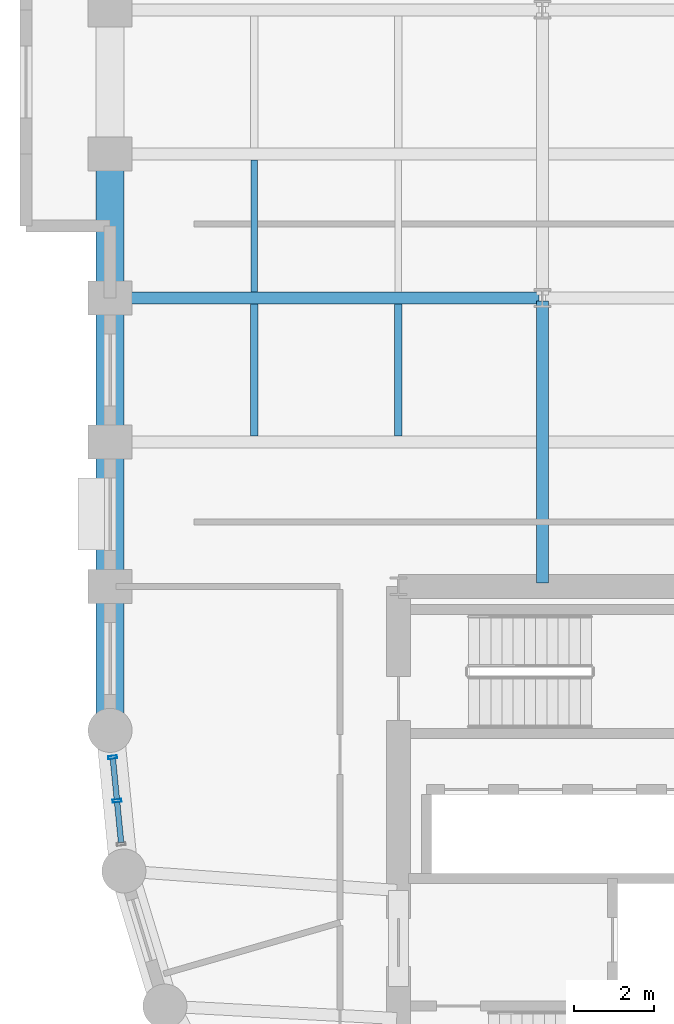
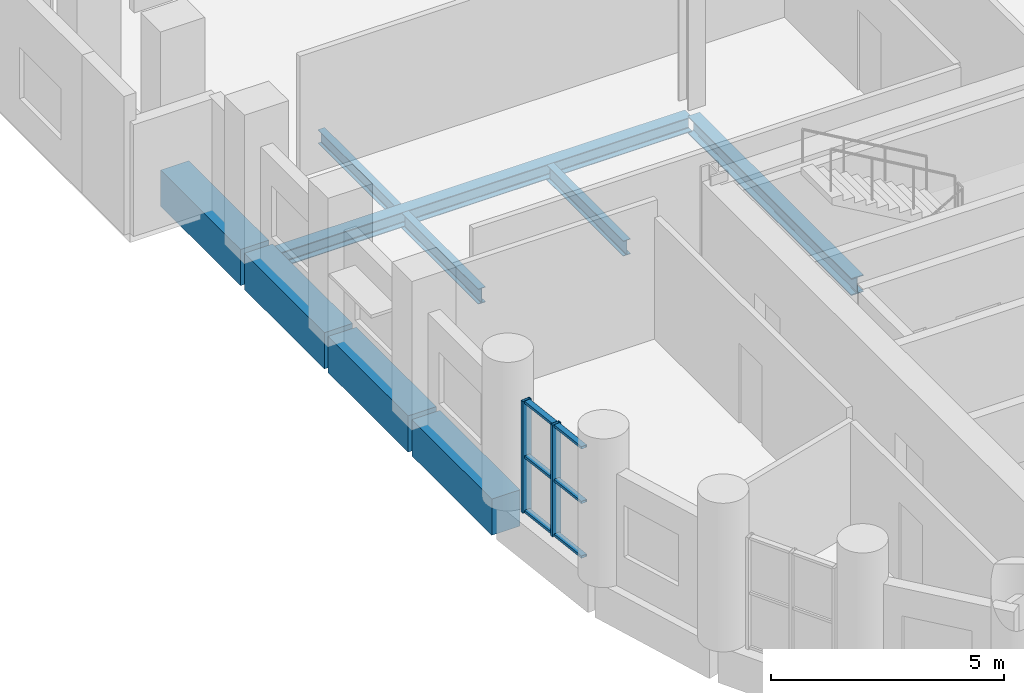
# One storey, part 5 of 13: 9 beams, 8 members, 1 element without a shape of its own.
"""IFC4 building model written with IfcOpenShell, lengths in metres."""

from ifc_helpers import new_model, si_unit, direction, frame, origin, origin_2d, place, context, subcontext, project, spatial, rectangle, hollow_rectangle, i_section, extrude, material, layer, layer_set, material_profile, profile_set, type_object, element, aggregate, save


model = new_model("IFC4")

# Units and contexts
model_context = context("Model", 3, precision=1e-05, world=origin(), true_north=direction((0.0, 1.0)))
body_context = subcontext(model_context, "Body", "Model", "MODEL_VIEW")
ifc_project = project(units=[si_unit("LENGTHUNIT", "METRE"), si_unit("AREAUNIT", "SQUARE_METRE"), si_unit("VOLUMEUNIT", "CUBIC_METRE"), si_unit("PLANEANGLEUNIT", "RADIAN"), si_unit("MASSUNIT", "GRAM", prefix="KILO")], contexts=[model_context])

# Site, building, storey
site_placement = place(None, origin())
site = spatial("IfcSite", under=ifc_project, at=site_placement, CompositionType="ELEMENT")
building_placement = place(site_placement, origin())
building = spatial("IfcBuilding", under=site, at=building_placement, Name="Solnavia Interchange Tower", CompositionType="ELEMENT")
storey_placement = place(building_placement, frame((0.0, 0.0, 87.89990234375)))
storey = spatial("IfcBuildingStorey", under=building, at=storey_placement, Name="L21", CompositionType="ELEMENT", Elevation=87.89990234375)

# Beams
ifc_material_1 = material(Name="Steel S460", Category="steel")
ifc_material_profile_1 = material_profile(ifc_material_1, i_section(OverallWidth=0.300048828125, OverallDepth=0.449951171875, WebThickness=0.013916015625, FlangeThickness=0.02587890625, FilletRadius=0.027099609375, at=origin_2d()), Name="HEB 450")
ifc_profile_set_1 = profile_set([ifc_material_profile_1], Name="Steel S460")
beam_type_1 = type_object("IfcBeamType", Name="Beam-Girder-HEB450", PredefinedType="BEAM", material=ifc_profile_set_1)
beam_1_placement = place(storey_placement, frame((18.0, 25.280029296875, -0.474853515625), z_axis=(0.0, 1.0, 0.0), x_axis=(-1.0, 0.0, 0.0)))
element("IfcBeam", 1, at=beam_1_placement, inside=storey, type_object=beam_type_1, Name="GRD-L21-NS11 North wing spine girder", PredefinedType="BEAM", context=body_context, shape_type="SweptSolid", body=[
    extrude(i_section(OverallWidth=0.300048828125, OverallDepth=0.449951171875, WebThickness=0.013916015625, FlangeThickness=0.02587890625, FilletRadius=0.027099609375, at=origin_2d()), origin(), (0.0, 0.0, 1.0), 7.0400390625),
])
ifc_material_2 = material(Name="Steel S355", Category="steel")
ifc_material_profile_2 = material_profile(ifc_material_2, i_section(OverallWidth=0.169921875, OverallDepth=0.360107421875, WebThickness=0.008056640625, FlangeThickness=0.0126953125, FilletRadius=0.01806640625, at=origin_2d()), Name="IPE 360")
ifc_profile_set_2 = profile_set([ifc_material_profile_2], Name="Steel S355")
beam_type_2 = type_object("IfcBeamType", Name="Beam-Joist-IPE360", PredefinedType="JOIST", material=ifc_profile_set_2)
beam_2_placement = place(storey_placement, frame((10.800048828125, 32.550048828125, -0.429931640625), z_axis=(0.0, 1.0, 0.0), x_axis=(-1.0, 0.0, 0.0)))
element("IfcBeam", 2, at=beam_2_placement, inside=storey, type_object=beam_type_2, Name="JST-L21-N18 North wing secondary joist", PredefinedType="JOIST", context=body_context, shape_type="SweptSolid", body=[
    extrude(i_section(OverallWidth=0.169921875, OverallDepth=0.360107421875, WebThickness=0.008056640625, FlangeThickness=0.0126953125, FilletRadius=0.01806640625, at=origin_2d()), origin(), (0.0, 0.0, 1.0), 3.300048828125),
])
ifc_material_profile_3 = material_profile(ifc_material_2, i_section(OverallWidth=0.179931640625, OverallDepth=0.39990234375, WebThickness=0.008544921875, FlangeThickness=0.013427734375, FilletRadius=0.02099609375, at=origin_2d()), Name="IPE 400")
ifc_profile_set_3 = profile_set([ifc_material_profile_3], Name="Steel S355")
beam_type_3 = type_object("IfcBeamType", Name="Beam-Joist-IPE400", PredefinedType="JOIST", material=ifc_profile_set_3)
for number, where, z_axis, x_axis, name in (
    (3, (10.800048828125, 28.949951171875, -0.449951171875), (0.0, 1.0, 0.0), (-1.0, 0.0, 0.0), "JST-L21-N17 North wing secondary joist"),
    (4, (14.39990234375, 28.949951171875, -0.449951171875), (0.0, 1.0, 0.0), (-1.0, 0.0, 0.0), "JST-L21-N20 North wing secondary joist"),
):
    element("IfcBeam", number, at=place(storey_placement, frame(where, z_axis=z_axis, x_axis=x_axis)), inside=storey, type_object=beam_type_3, Name=name, PredefinedType="JOIST", context=body_context, shape_type="SweptSolid", body=[
        extrude(i_section(OverallWidth=0.179931640625, OverallDepth=0.39990234375, WebThickness=0.008544921875, FlangeThickness=0.013427734375, FilletRadius=0.02099609375, at=origin_2d()), origin(), (0.0, 0.0, 1.0), 3.300048828125),
    ])
ifc_material_profile_4 = material_profile(ifc_material_2, i_section(OverallWidth=0.300048828125, OverallDepth=0.389892578125, WebThickness=0.010986328125, FlangeThickness=0.01904296875, FilletRadius=0.027099609375, at=origin_2d()), Name="HEA 400")
ifc_profile_set_4 = profile_set([ifc_material_profile_4], Name="Steel S355")
beam_type_4 = type_object("IfcBeamType", Name="Beam-Primary-HEA400", PredefinedType="BEAM", material=ifc_profile_set_4)
beam_3_placement = place(storey_placement, frame((7.280029296875, 32.39990234375, -0.44482421875), z_axis=(1.0, 0.0, 0.0), x_axis=(0.0, 1.0, 0.0)))
element("IfcBeam", 5, at=beam_3_placement, inside=storey, type_object=beam_type_4, Name="GRD-L21-NW15 North wing primary floor girder", PredefinedType="BEAM", context=body_context, shape_type="SweptSolid", body=[
    extrude(i_section(OverallWidth=0.300048828125, OverallDepth=0.389892578125, WebThickness=0.010986328125, FlangeThickness=0.01904296875, FilletRadius=0.027099609375, at=origin_2d()), origin(), (0.0, 0.0, 1.0), 10.639892578125),
])
ifc_material_3 = material(Name="Concrete C50/60", Category="concrete")
ifc_material_profile_5 = material_profile(ifc_material_3, rectangle(XDim=0.699951171875, YDim=0.949951171875, at=origin_2d()), Name="RC 700x950")
ifc_profile_set_5 = profile_set([ifc_material_profile_5], Name="Concrete C50/60")
beam_type_5 = type_object("IfcBeamType", Name="Beam-Spandrel-RC700x950", PredefinedType="SPANDREL", material=ifc_profile_set_5)
beam_4_placement = place(storey_placement, frame((7.199951171875, 35.919921875, -0.474853515625), z_axis=(0.0, -1.0, 0.0), x_axis=(1.0, 0.0, 0.0)))
element("IfcBeam", 6, at=beam_4_placement, inside=storey, type_object=beam_type_5, Name="SPB-L21-37 Framed-tube perimeter spandrel beam", PredefinedType="SPANDREL", context=body_context, shape_type="SweptSolid", body=[
    extrude(rectangle(XDim=0.699951171875, YDim=0.949951171875, at=origin_2d()), origin(), (0.0, 0.0, 1.0), 3.43994140625),
])
beam_5_placement = place(storey_placement, frame((7.199951171875, 32.320068359375, -0.474853515625), z_axis=(0.0, -1.0, 0.0), x_axis=(1.0, 0.0, 0.0)))
element("IfcBeam", 7, at=beam_5_placement, inside=storey, type_object=beam_type_5, Name="SPB-L21-38 Framed-tube perimeter spandrel beam", PredefinedType="SPANDREL", context=body_context, shape_type="SweptSolid", body=[
    extrude(rectangle(XDim=0.699951171875, YDim=0.949951171875, at=origin_2d()), origin(), (0.0, 0.0, 1.0), 3.440185546875),
])
beam_6_placement = place(storey_placement, frame((7.199951171875, 28.719970703125, -0.474853515625), z_axis=(0.0, -1.0, 0.0), x_axis=(1.0, 0.0, 0.0)))
element("IfcBeam", 8, at=beam_6_placement, inside=storey, type_object=beam_type_5, Name="SPB-L21-39 Framed-tube perimeter spandrel beam", PredefinedType="SPANDREL", context=body_context, shape_type="SweptSolid", body=[
    extrude(rectangle(XDim=0.699951171875, YDim=0.949951171875, at=origin_2d()), origin(), (0.0, 0.0, 1.0), 3.43994140625),
])
beam_7_placement = place(storey_placement, frame((7.199951171875, 25.1201171875, -0.474853515625), z_axis=(0.0, -1.0, 0.0), x_axis=(1.0, 0.0, 0.0)))
element("IfcBeam", 9, at=beam_7_placement, inside=storey, type_object=beam_type_5, Name="SPB-L21-40 Framed-tube perimeter spandrel beam", PredefinedType="SPANDREL", context=body_context, shape_type="SweptSolid", body=[
    extrude(rectangle(XDim=0.699951171875, YDim=0.949951171875, at=origin_2d()), origin(), (0.0, 0.0, 1.0), 3.440185546875),
])

# Curtain wall, members
ifc_material_4 = material(Name="Aluminium Alloy 6063-T6", Category="aluminium")
ifc_layer = layer(ifc_material_4, 0.239990234375)
ifc_layer_set = layer_set([ifc_layer], Name="Aluminium Alloy 6063-T6")
curtain_wall_type = type_object("IfcCurtainWallType", Name="CurtainWall-Drum-CTW2", PredefinedType="NOTDEFINED", material=ifc_layer_set)
curtain_wall_placement = place(storey_placement, origin())
curtain_wall = element("IfcCurtainWall", 10, at=curtain_wall_placement, inside=storey, type_object=curtain_wall_type, Name="CTW-L21-D55 CTW-2 curtain wall", PredefinedType="NOTDEFINED")
ifc_material_profile_6 = material_profile(ifc_material_4, hollow_rectangle(XDim=0.074951171875, YDim=0.219970703125, WallThickness=0.0048828125, at=origin_2d()), Name="ALU 220x75x5")
ifc_profile_set_6 = profile_set([ifc_material_profile_6], Name="Aluminium Alloy 6063-T6")
member_type_1 = type_object("IfcMemberType", Name="CW-Mullion-CWM-2", PredefinedType="MULLION", material=ifc_profile_set_6)
member_1_placement = place(storey_placement, frame((7.26611328125, 20.92822265625, 0.0), z_axis=(0.0, 0.0, 1.0), x_axis=(0.098045297616, -0.995181953019, 0.0)))
member_1 = element("IfcMember", 11, at=member_1_placement, type_object=member_type_1, Name="CTW-2 mullion 1", PredefinedType="MULLION", context=body_context, shape_type="SweptSolid", body=[
    extrude(hollow_rectangle(XDim=0.074951171875, YDim=0.219970703125, WallThickness=0.0048828125, at=origin_2d()), origin(), (0.0, 0.0, 1.0), 2.93017578125),
])
member_2_placement = place(storey_placement, frame((7.373046875, 19.843994140625, 0.0), z_axis=(0.0, 0.0, 1.0), x_axis=(0.098045297616, -0.995181953019, 0.0)))
member_2 = element("IfcMember", 12, at=member_2_placement, type_object=member_type_1, Name="CTW-2 mullion 2", PredefinedType="MULLION", context=body_context, shape_type="SweptSolid", body=[
    extrude(hollow_rectangle(XDim=0.074951171875, YDim=0.219970703125, WallThickness=0.0048828125, at=origin_2d()), origin(), (0.0, 0.0, 1.0), 2.93017578125),
])
ifc_material_profile_7 = material_profile(ifc_material_4, hollow_rectangle(XDim=0.06494140625, YDim=0.139892578125, WallThickness=0.00390625, at=origin_2d()), Name="ALU 140x65x4")
ifc_profile_set_7 = profile_set([ifc_material_profile_7], Name="Aluminium Alloy 6063-T6")
member_type_2 = type_object("IfcMemberType", Name="CW-Transom-CWT-2", PredefinedType="USERDEFINED", material=ifc_profile_set_7)
member_3_placement = place(storey_placement, frame((7.269775390625, 20.890869140625, 0.03271484375), z_axis=(0.098193057541, -0.99516738464, 0.0), x_axis=(0.0, 0.0, 1.0)))
member_3 = element("IfcMember", 13, at=member_3_placement, type_object=member_type_2, Name="CTW-2 transom 1.1", ObjectType="TRANSOM", PredefinedType="USERDEFINED", context=body_context, shape_type="SweptSolid", body=[
    extrude(hollow_rectangle(XDim=0.06494140625, YDim=0.139892578125, WallThickness=0.00390625, at=origin_2d()), origin(), (0.0, 0.0, 1.0), 1.014404296875),
])
member_4_placement = place(storey_placement, frame((7.269775390625, 20.890869140625, 1.465087890625), z_axis=(0.098193057541, -0.99516738464, 0.0), x_axis=(0.0, 0.0, 1.0)))
member_4 = element("IfcMember", 14, at=member_4_placement, type_object=member_type_2, Name="CTW-2 transom 1.2", ObjectType="TRANSOM", PredefinedType="USERDEFINED", context=body_context, shape_type="SweptSolid", body=[
    extrude(hollow_rectangle(XDim=0.06494140625, YDim=0.139892578125, WallThickness=0.00390625, at=origin_2d()), origin(), (0.0, 0.0, 1.0), 1.014404296875),
])
member_5_placement = place(storey_placement, frame((7.269775390625, 20.890869140625, 2.897705078125), z_axis=(0.098193057541, -0.99516738464, 0.0), x_axis=(0.0, 0.0, 1.0)))
member_5 = element("IfcMember", 15, at=member_5_placement, type_object=member_type_2, Name="CTW-2 transom 1.3", ObjectType="TRANSOM", PredefinedType="USERDEFINED", context=body_context, shape_type="SweptSolid", body=[
    extrude(hollow_rectangle(XDim=0.06494140625, YDim=0.139892578125, WallThickness=0.00390625, at=origin_2d()), origin(), (0.0, 0.0, 1.0), 1.014404296875),
])
member_6_placement = place(storey_placement, frame((7.376708984375, 19.806640625, 0.03271484375), z_axis=(0.097954700343, -0.995190874496, 0.0), x_axis=(0.0, 0.0, 1.0)))
member_6 = element("IfcMember", 16, at=member_6_placement, type_object=member_type_2, Name="CTW-2 transom 2.1", ObjectType="TRANSOM", PredefinedType="USERDEFINED", context=body_context, shape_type="SweptSolid", body=[
    extrude(hollow_rectangle(XDim=0.06494140625, YDim=0.139892578125, WallThickness=0.00390625, at=origin_2d()), origin(), (0.0, 0.0, 1.0), 1.014404296875),
])
member_7_placement = place(storey_placement, frame((7.376708984375, 19.806640625, 1.465087890625), z_axis=(0.097954700343, -0.995190874496, 0.0), x_axis=(0.0, 0.0, 1.0)))
member_7 = element("IfcMember", 17, at=member_7_placement, type_object=member_type_2, Name="CTW-2 transom 2.2", ObjectType="TRANSOM", PredefinedType="USERDEFINED", context=body_context, shape_type="SweptSolid", body=[
    extrude(hollow_rectangle(XDim=0.06494140625, YDim=0.139892578125, WallThickness=0.00390625, at=origin_2d()), origin(), (0.0, 0.0, 1.0), 1.014404296875),
])
member_8_placement = place(storey_placement, frame((7.376708984375, 19.806640625, 2.897705078125), z_axis=(0.097954700343, -0.995190874496, 0.0), x_axis=(0.0, 0.0, 1.0)))
member_8 = element("IfcMember", 18, at=member_8_placement, type_object=member_type_2, Name="CTW-2 transom 2.3", ObjectType="TRANSOM", PredefinedType="USERDEFINED", context=body_context, shape_type="SweptSolid", body=[
    extrude(hollow_rectangle(XDim=0.06494140625, YDim=0.139892578125, WallThickness=0.00390625, at=origin_2d()), origin(), (0.0, 0.0, 1.0), 1.014404296875),
])
aggregate(curtain_wall, [member_1, member_2, member_3, member_4, member_5, member_6, member_7, member_8])

save(model, "model.ifc")
